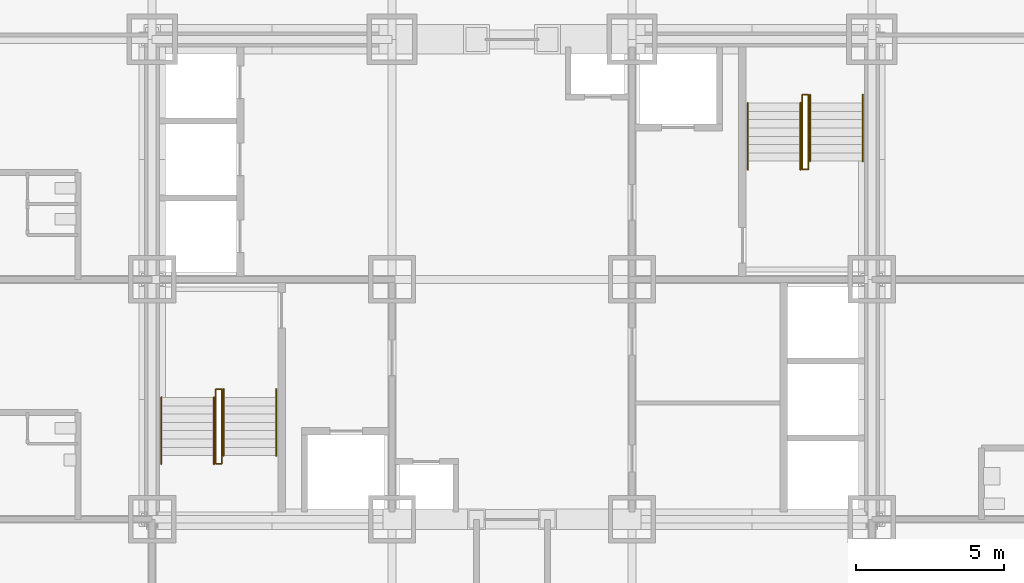
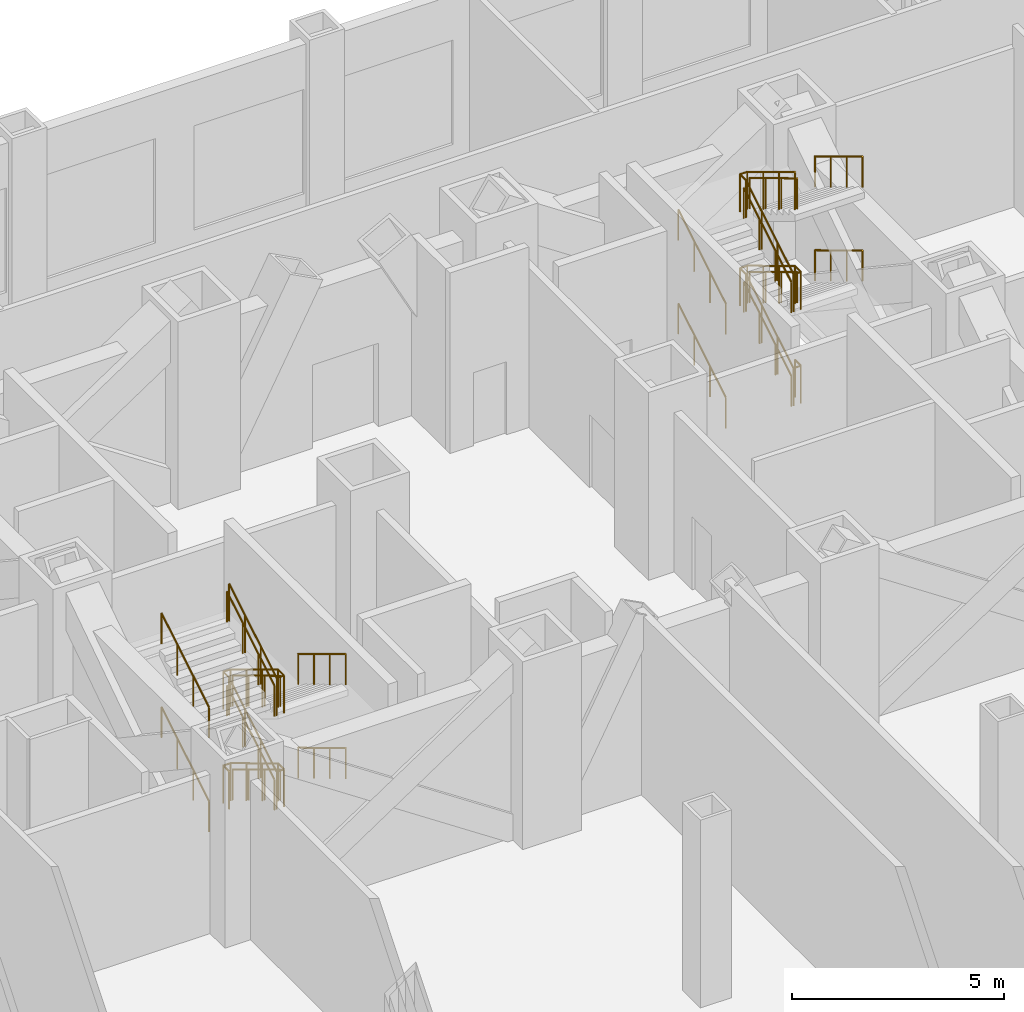
# One storey, part 9 of 10: 18 railings.
"""IFC4 building model written with IfcOpenShell, lengths in metres."""

from ifc_helpers import new_model, si_unit, direction, frame, origin, origin_2d, place, context, subcontext, project, spatial, circle, extrude, material, type_object, element, save


model = new_model("IFC4")

# Units and contexts
model_context = context("Model", 3, precision=1e-05, world=origin(), true_north=direction((0.0, 1.0)))
body_context = subcontext(model_context, "Body", "Model", "MODEL_VIEW")
ifc_project = project(units=[si_unit("LENGTHUNIT", "METRE"), si_unit("AREAUNIT", "SQUARE_METRE"), si_unit("VOLUMEUNIT", "CUBIC_METRE"), si_unit("PLANEANGLEUNIT", "RADIAN"), si_unit("MASSUNIT", "GRAM", prefix="KILO")], contexts=[model_context])

# Site, building, storey
site_placement = place(None, origin())
site = spatial("IfcSite", under=ifc_project, at=site_placement, CompositionType="ELEMENT")
building_placement = place(site_placement, origin())
building = spatial("IfcBuilding", under=site, at=building_placement, Name="Kopane Lantern Tower", CompositionType="ELEMENT")
storey_placement = place(building_placement, frame((0.0, 0.0, 27.60009765625)))
storey = spatial("IfcBuildingStorey", under=building, at=storey_placement, Name="L05", CompositionType="ELEMENT", Elevation=27.60009765625)

# Railings
ifc_material_1 = material(Name="Steel", Category="steel")
railing_type_1 = type_object("IfcRailingType", Name="STAIR GUARD 1100", PredefinedType="GUARDRAIL", material=ifc_material_1)
railing_1_placement = place(storey_placement, frame((18.35009765625, 28.409912109375, 0.0)))
element("IfcRailing", 1, at=railing_1_placement, inside=storey, type_object=railing_type_1, Name="ST1 well guard L05", PredefinedType="GUARDRAIL", context=body_context, shape_type="SweptSolid", body=[
    extrude(circle(Radius=0.02392578125, at=origin_2d()), frame((0.0, 0.0, 1.076171875), z_axis=(0.0, 1.0, 0.0), x_axis=(-1.0, 0.0, 0.0)), (0.0, 0.0, 1.0), 0.280029296875),
    extrude(circle(Radius=0.02392578125, at=origin_2d()), frame((0.0, 0.280029296875, 1.076171875), z_axis=(1.0, 0.0, 0.0), x_axis=(0.0, 1.0, 0.0)), (0.0, 0.0, 1.0), 0.199951171875),
    extrude(circle(Radius=0.02392578125, at=origin_2d()), frame((0.199951171875, 0.280029296875, 1.076171875), z_axis=(0.0, -0.856502912269, 0.516142190947), x_axis=(1.0, 0.0, 0.0)), (0.0, 0.0, 1.0), 2.615234375),
    extrude(circle(Radius=0.02392578125, at=origin_2d()), frame((0.199951171875, -1.9599609375, 2.42578125), z_axis=(0.0, -1.0, 0.0), x_axis=(1.0, 0.0, 0.0)), (0.0, 0.0, 1.0), 0.280029296875),
    extrude(circle(Radius=0.02392578125, at=origin_2d()), frame((0.199951171875, -2.239990234375, 2.42578125), z_axis=(-1.0, 0.0, 0.0), x_axis=(0.0, -1.0, 0.0)), (0.0, 0.0, 1.0), 0.199951171875),
    extrude(circle(Radius=0.02392578125, at=origin_2d()), frame((0.0, -2.239990234375, 2.42578125), z_axis=(0.0, 0.856461642802, 0.516210668632), x_axis=(-1.0, 0.0, 0.0)), (0.0, 0.0, 1.0), 2.615478515625),
    extrude(circle(Radius=0.02392578125, at=origin_2d()), frame((0.0, 0.0, 3.77587890625), z_axis=(0.0, 1.0, 0.0), x_axis=(-1.0, 0.0, 0.0)), (0.0, 0.0, 1.0), 0.280029296875),
    extrude(circle(Radius=0.02392578125, at=origin_2d()), frame((0.0, 0.280029296875, 3.77587890625), z_axis=(1.0, 0.0, 0.0), x_axis=(0.0, 1.0, 0.0)), (0.0, 0.0, 1.0), 0.199951171875),
    extrude(circle(Radius=0.02392578125, at=origin_2d()), frame((0.199951171875, 0.280029296875, 3.77587890625), z_axis=(0.0, -0.856502912269, 0.516142190947), x_axis=(1.0, 0.0, 0.0)), (0.0, 0.0, 1.0), 2.615234375),
    extrude(circle(Radius=0.02392578125, at=origin_2d()), frame((0.199951171875, -1.9599609375, 5.1259765625), z_axis=(0.0, -1.0, 0.0), x_axis=(1.0, 0.0, 0.0)), (0.0, 0.0, 1.0), 0.280029296875),
    extrude(circle(Radius=0.02392578125, at=origin_2d()), frame((0.199951171875, -2.239990234375, 5.1259765625), z_axis=(-1.0, 0.0, 0.0), x_axis=(0.0, -1.0, 0.0)), (0.0, 0.0, 1.0), 0.199951171875),
    extrude(circle(Radius=0.02392578125, at=origin_2d()), frame((0.0, -2.239990234375, 5.1259765625), z_axis=(0.0, 0.856461642802, 0.516210668632), x_axis=(-1.0, 0.0, 0.0)), (0.0, 0.0, 1.0), 2.615478515625),
    extrude(circle(Radius=0.02099609375, at=origin_2d()), origin(), (0.0, 0.0, 1.0), 1.052001953125),
    extrude(circle(Radius=0.02099609375, at=origin_2d()), frame((0.0, 0.280029296875, 0.0)), (0.0, 0.0, 1.0), 1.052001953125),
    extrude(circle(Radius=0.02099609375, at=origin_2d()), frame((0.199951171875, 0.280029296875, 0.0)), (0.0, 0.0, 1.0), 1.052001953125),
    extrude(circle(Radius=0.02099609375, at=origin_2d()), frame((0.199951171875, -0.466552734375, 0.449951171875)), (0.0, 0.0, 1.0), 1.052001953125),
    extrude(circle(Radius=0.02099609375, at=origin_2d()), frame((0.199951171875, -1.21337890625, 0.89990234375)), (0.0, 0.0, 1.0), 1.052001953125),
    extrude(circle(Radius=0.02099609375, at=origin_2d()), frame((0.199951171875, -1.9599609375, 1.349853515625)), (0.0, 0.0, 1.0), 1.052001953125),
    extrude(circle(Radius=0.02099609375, at=origin_2d()), frame((0.199951171875, -2.239990234375, 1.349853515625)), (0.0, 0.0, 1.0), 1.052001953125),
    extrude(circle(Radius=0.02099609375, at=origin_2d()), frame((0.0, -2.239990234375, 1.349853515625)), (0.0, 0.0, 1.0), 1.052001953125),
    extrude(circle(Radius=0.02099609375, at=origin_2d()), frame((0.0, -1.493408203125, 1.7998046875)), (0.0, 0.0, 1.0), 1.052001953125),
    extrude(circle(Radius=0.02099609375, at=origin_2d()), frame((0.0, -0.74658203125, 2.25)), (0.0, 0.0, 1.0), 1.052001953125),
    extrude(circle(Radius=0.02099609375, at=origin_2d()), frame((0.0, 0.0, 2.699951171875)), (0.0, 0.0, 1.0), 1.052001953125),
    extrude(circle(Radius=0.02099609375, at=origin_2d()), frame((0.0, 0.280029296875, 2.699951171875)), (0.0, 0.0, 1.0), 1.052001953125),
    extrude(circle(Radius=0.02099609375, at=origin_2d()), frame((0.199951171875, 0.280029296875, 2.699951171875)), (0.0, 0.0, 1.0), 1.052001953125),
    extrude(circle(Radius=0.02099609375, at=origin_2d()), frame((0.199951171875, -0.466552734375, 3.14990234375)), (0.0, 0.0, 1.0), 1.052001953125),
    extrude(circle(Radius=0.02099609375, at=origin_2d()), frame((0.199951171875, -1.21337890625, 3.599853515625)), (0.0, 0.0, 1.0), 1.052001953125),
    extrude(circle(Radius=0.02099609375, at=origin_2d()), frame((0.199951171875, -1.9599609375, 4.0498046875)), (0.0, 0.0, 1.0), 1.052001953125),
    extrude(circle(Radius=0.02099609375, at=origin_2d()), frame((0.199951171875, -2.239990234375, 4.0498046875)), (0.0, 0.0, 1.0), 1.052001953125),
    extrude(circle(Radius=0.02099609375, at=origin_2d()), frame((0.0, -2.239990234375, 4.0498046875)), (0.0, 0.0, 1.0), 1.052001953125),
    extrude(circle(Radius=0.02099609375, at=origin_2d()), frame((0.0, -1.493408203125, 4.499755859375)), (0.0, 0.0, 1.0), 1.052001953125),
    extrude(circle(Radius=0.02099609375, at=origin_2d()), frame((0.0, -0.74658203125, 4.949951171875)), (0.0, 0.0, 1.0), 1.052001953125),
    extrude(circle(Radius=0.02099609375, at=origin_2d()), frame((0.0, 0.0, 5.39990234375)), (0.0, 0.0, 1.0), 1.052001953125),
])
railing_2_placement = place(storey_placement, frame((38.35009765625, 36.389892578125, 0.0)))
element("IfcRailing", 2, at=railing_2_placement, inside=storey, type_object=railing_type_1, Name="ST2 well guard L05", PredefinedType="GUARDRAIL", context=body_context, shape_type="SweptSolid", body=[
    extrude(circle(Radius=0.02392578125, at=origin_2d()), frame((0.0, 0.0, 1.076171875), z_axis=(0.0, -1.0, 0.0), x_axis=(1.0, 0.0, 0.0)), (0.0, 0.0, 1.0), 0.27978515625),
    extrude(circle(Radius=0.02392578125, at=origin_2d()), frame((0.0, -0.27978515625, 1.076171875), z_axis=(-1.0, 0.0, 0.0), x_axis=(0.0, -1.0, 0.0)), (0.0, 0.0, 1.0), 0.2001953125),
    extrude(circle(Radius=0.02392578125, at=origin_2d()), frame((-0.2001953125, -0.27978515625, 1.076171875), z_axis=(0.0, 0.856502912269, 0.516142190947), x_axis=(-1.0, 0.0, 0.0)), (0.0, 0.0, 1.0), 2.615234375),
    extrude(circle(Radius=0.02392578125, at=origin_2d()), frame((-0.2001953125, 1.960205078125, 2.42578125), z_axis=(0.0, 1.0, 0.0), x_axis=(-1.0, 0.0, 0.0)), (0.0, 0.0, 1.0), 0.27978515625),
    extrude(circle(Radius=0.02392578125, at=origin_2d()), frame((-0.2001953125, 2.239990234375, 2.42578125), z_axis=(1.0, 0.0, 0.0), x_axis=(0.0, 1.0, 0.0)), (0.0, 0.0, 1.0), 0.2001953125),
    extrude(circle(Radius=0.02392578125, at=origin_2d()), frame((0.0, 2.239990234375, 2.42578125), z_axis=(0.0, -0.856461642802, 0.516210668632), x_axis=(1.0, 0.0, 0.0)), (0.0, 0.0, 1.0), 2.615478515625),
    extrude(circle(Radius=0.02392578125, at=origin_2d()), frame((0.0, 0.0, 3.77587890625), z_axis=(0.0, -1.0, 0.0), x_axis=(1.0, 0.0, 0.0)), (0.0, 0.0, 1.0), 0.27978515625),
    extrude(circle(Radius=0.02392578125, at=origin_2d()), frame((0.0, -0.27978515625, 3.77587890625), z_axis=(-1.0, 0.0, 0.0), x_axis=(0.0, -1.0, 0.0)), (0.0, 0.0, 1.0), 0.2001953125),
    extrude(circle(Radius=0.02392578125, at=origin_2d()), frame((-0.2001953125, -0.27978515625, 3.77587890625), z_axis=(0.0, 0.856502912269, 0.516142190947), x_axis=(-1.0, 0.0, 0.0)), (0.0, 0.0, 1.0), 2.615234375),
    extrude(circle(Radius=0.02392578125, at=origin_2d()), frame((-0.2001953125, 1.960205078125, 5.1259765625), z_axis=(0.0, 1.0, 0.0), x_axis=(-1.0, 0.0, 0.0)), (0.0, 0.0, 1.0), 0.27978515625),
    extrude(circle(Radius=0.02392578125, at=origin_2d()), frame((-0.2001953125, 2.239990234375, 5.1259765625), z_axis=(1.0, 0.0, 0.0), x_axis=(0.0, 1.0, 0.0)), (0.0, 0.0, 1.0), 0.2001953125),
    extrude(circle(Radius=0.02392578125, at=origin_2d()), frame((0.0, 2.239990234375, 5.1259765625), z_axis=(0.0, -0.856461642802, 0.516210668632), x_axis=(1.0, 0.0, 0.0)), (0.0, 0.0, 1.0), 2.615478515625),
    extrude(circle(Radius=0.02099609375, at=origin_2d()), origin(), (0.0, 0.0, 1.0), 1.052001953125),
    extrude(circle(Radius=0.02099609375, at=origin_2d()), frame((0.0, -0.27978515625, 0.0)), (0.0, 0.0, 1.0), 1.052001953125),
    extrude(circle(Radius=0.02099609375, at=origin_2d()), frame((-0.2001953125, -0.27978515625, 0.0)), (0.0, 0.0, 1.0), 1.052001953125),
    extrude(circle(Radius=0.02099609375, at=origin_2d()), frame((-0.2001953125, 0.466796875, 0.449951171875)), (0.0, 0.0, 1.0), 1.052001953125),
    extrude(circle(Radius=0.02099609375, at=origin_2d()), frame((-0.2001953125, 1.213623046875, 0.89990234375)), (0.0, 0.0, 1.0), 1.052001953125),
    extrude(circle(Radius=0.02099609375, at=origin_2d()), frame((-0.2001953125, 1.960205078125, 1.349853515625)), (0.0, 0.0, 1.0), 1.052001953125),
    extrude(circle(Radius=0.02099609375, at=origin_2d()), frame((-0.2001953125, 2.239990234375, 1.349853515625)), (0.0, 0.0, 1.0), 1.052001953125),
    extrude(circle(Radius=0.02099609375, at=origin_2d()), frame((0.0, 2.239990234375, 1.349853515625)), (0.0, 0.0, 1.0), 1.052001953125),
    extrude(circle(Radius=0.02099609375, at=origin_2d()), frame((0.0, 1.493408203125, 1.7998046875)), (0.0, 0.0, 1.0), 1.052001953125),
    extrude(circle(Radius=0.02099609375, at=origin_2d()), frame((0.0, 0.74658203125, 2.25)), (0.0, 0.0, 1.0), 1.052001953125),
    extrude(circle(Radius=0.02099609375, at=origin_2d()), frame((0.0, 0.0, 2.699951171875)), (0.0, 0.0, 1.0), 1.052001953125),
    extrude(circle(Radius=0.02099609375, at=origin_2d()), frame((0.0, -0.27978515625, 2.699951171875)), (0.0, 0.0, 1.0), 1.052001953125),
    extrude(circle(Radius=0.02099609375, at=origin_2d()), frame((-0.2001953125, -0.27978515625, 2.699951171875)), (0.0, 0.0, 1.0), 1.052001953125),
    extrude(circle(Radius=0.02099609375, at=origin_2d()), frame((-0.2001953125, 0.466796875, 3.14990234375)), (0.0, 0.0, 1.0), 1.052001953125),
    extrude(circle(Radius=0.02099609375, at=origin_2d()), frame((-0.2001953125, 1.213623046875, 3.599853515625)), (0.0, 0.0, 1.0), 1.052001953125),
    extrude(circle(Radius=0.02099609375, at=origin_2d()), frame((-0.2001953125, 1.960205078125, 4.0498046875)), (0.0, 0.0, 1.0), 1.052001953125),
    extrude(circle(Radius=0.02099609375, at=origin_2d()), frame((-0.2001953125, 2.239990234375, 4.0498046875)), (0.0, 0.0, 1.0), 1.052001953125),
    extrude(circle(Radius=0.02099609375, at=origin_2d()), frame((0.0, 2.239990234375, 4.0498046875)), (0.0, 0.0, 1.0), 1.052001953125),
    extrude(circle(Radius=0.02099609375, at=origin_2d()), frame((0.0, 1.493408203125, 4.499755859375)), (0.0, 0.0, 1.0), 1.052001953125),
    extrude(circle(Radius=0.02099609375, at=origin_2d()), frame((0.0, 0.74658203125, 4.949951171875)), (0.0, 0.0, 1.0), 1.052001953125),
    extrude(circle(Radius=0.02099609375, at=origin_2d()), frame((0.0, 0.0, 5.39990234375)), (0.0, 0.0, 1.0), 1.052001953125),
])
ifc_material_2 = material(Name="Steel", Category="steel")
railing_type_2 = type_object("IfcRailingType", Name="STAIR HANDRAIL 900", PredefinedType="HANDRAIL", material=ifc_material_2)
for number, where, name in (
    (3, (20.389892578125, 28.68994140625, 0.0), "ST1 handrail L05 flight 1"),
    (4, (18.610107421875, 28.68994140625, 0.0), "ST1 handrail L05 flight 1"),
):
    element("IfcRailing", number, at=place(storey_placement, frame(where)), inside=storey, type_object=railing_type_2, Name=name, PredefinedType="HANDRAIL", context=body_context, shape_type="SweptSolid", body=[
        extrude(circle(Radius=0.02392578125, at=origin_2d()), frame((0.0, 0.0, 0.8759765625), z_axis=(0.0, -0.856502912269, 0.516142190947), x_axis=(1.0, 0.0, 0.0)), (0.0, 0.0, 1.0), 2.615234375),
        extrude(circle(Radius=0.02099609375, at=origin_2d()), origin(), (0.0, 0.0, 1.0), 0.851806640625),
        extrude(circle(Radius=0.02099609375, at=origin_2d()), frame((0.0, -0.74658203125, 0.449951171875)), (0.0, 0.0, 1.0), 0.851806640625),
        extrude(circle(Radius=0.02099609375, at=origin_2d()), frame((0.0, -1.493408203125, 0.89990234375)), (0.0, 0.0, 1.0), 0.851806640625),
        extrude(circle(Radius=0.02099609375, at=origin_2d()), frame((0.0, -2.239990234375, 1.349853515625)), (0.0, 0.0, 1.0), 0.851806640625),
    ])
for number, where, name in (
    (5, (16.510009765625, 26.169921875, 1.349853515625), "ST1 handrail L05 flight 2"),
    (6, (18.2900390625, 26.169921875, 1.349853515625), "ST1 handrail L05 flight 2"),
):
    element("IfcRailing", number, at=place(storey_placement, frame(where)), inside=storey, type_object=railing_type_2, Name=name, PredefinedType="HANDRAIL", context=body_context, shape_type="SweptSolid", body=[
        extrude(circle(Radius=0.02392578125, at=origin_2d()), frame((0.0, 0.0, 0.8759765625), z_axis=(0.0, 0.856461642802, 0.516210668632), x_axis=(-1.0, 0.0, 0.0)), (0.0, 0.0, 1.0), 2.615478515625),
        extrude(circle(Radius=0.02099609375, at=origin_2d()), origin(), (0.0, 0.0, 1.0), 0.851806640625),
        extrude(circle(Radius=0.02099609375, at=origin_2d()), frame((0.0, 0.74658203125, 0.449951171875)), (0.0, 0.0, 1.0), 0.851806640625),
        extrude(circle(Radius=0.02099609375, at=origin_2d()), frame((0.0, 1.493408203125, 0.900146484375)), (0.0, 0.0, 1.0), 0.851806640625),
        extrude(circle(Radius=0.02099609375, at=origin_2d()), frame((0.0, 2.239990234375, 1.35009765625)), (0.0, 0.0, 1.0), 0.851806640625),
    ])
for number, where, name in (
    (7, (20.389892578125, 28.68994140625, 2.699951171875), "ST1 handrail L05 flight 3"),
    (8, (18.610107421875, 28.68994140625, 2.699951171875), "ST1 handrail L05 flight 3"),
):
    element("IfcRailing", number, at=place(storey_placement, frame(where)), inside=storey, type_object=railing_type_2, Name=name, PredefinedType="HANDRAIL", context=body_context, shape_type="SweptSolid", body=[
        extrude(circle(Radius=0.02392578125, at=origin_2d()), frame((0.0, 0.0, 0.8759765625), z_axis=(0.0, -0.856502912269, 0.516142190947), x_axis=(1.0, 0.0, 0.0)), (0.0, 0.0, 1.0), 2.615234375),
        extrude(circle(Radius=0.02099609375, at=origin_2d()), origin(), (0.0, 0.0, 1.0), 0.851806640625),
        extrude(circle(Radius=0.02099609375, at=origin_2d()), frame((0.0, -0.74658203125, 0.449951171875)), (0.0, 0.0, 1.0), 0.851806640625),
        extrude(circle(Radius=0.02099609375, at=origin_2d()), frame((0.0, -1.493408203125, 0.89990234375)), (0.0, 0.0, 1.0), 0.851806640625),
        extrude(circle(Radius=0.02099609375, at=origin_2d()), frame((0.0, -2.239990234375, 1.349853515625)), (0.0, 0.0, 1.0), 0.851806640625),
    ])
for number, where, name in (
    (9, (16.510009765625, 26.169921875, 4.0498046875), "ST1 handrail L05 flight 4"),
    (10, (18.2900390625, 26.169921875, 4.0498046875), "ST1 handrail L05 flight 4"),
):
    element("IfcRailing", number, at=place(storey_placement, frame(where)), inside=storey, type_object=railing_type_2, Name=name, PredefinedType="HANDRAIL", context=body_context, shape_type="SweptSolid", body=[
        extrude(circle(Radius=0.02392578125, at=origin_2d()), frame((0.0, 0.0, 0.8759765625), z_axis=(0.0, 0.856461642802, 0.516210668632), x_axis=(-1.0, 0.0, 0.0)), (0.0, 0.0, 1.0), 2.615478515625),
        extrude(circle(Radius=0.02099609375, at=origin_2d()), origin(), (0.0, 0.0, 1.0), 0.851806640625),
        extrude(circle(Radius=0.02099609375, at=origin_2d()), frame((0.0, 0.74658203125, 0.449951171875)), (0.0, 0.0, 1.0), 0.851806640625),
        extrude(circle(Radius=0.02099609375, at=origin_2d()), frame((0.0, 1.493408203125, 0.900146484375)), (0.0, 0.0, 1.0), 0.851806640625),
        extrude(circle(Radius=0.02099609375, at=origin_2d()), frame((0.0, 2.239990234375, 1.35009765625)), (0.0, 0.0, 1.0), 0.851806640625),
    ])
for number, where, name in (
    (11, (36.31005859375, 36.110107421875, 0.0), "ST2 handrail L05 flight 1"),
    (12, (38.090087890625, 36.110107421875, 0.0), "ST2 handrail L05 flight 1"),
):
    element("IfcRailing", number, at=place(storey_placement, frame(where)), inside=storey, type_object=railing_type_2, Name=name, PredefinedType="HANDRAIL", context=body_context, shape_type="SweptSolid", body=[
        extrude(circle(Radius=0.02392578125, at=origin_2d()), frame((0.0, 0.0, 0.8759765625), z_axis=(0.0, 0.856502912269, 0.516142190947), x_axis=(-1.0, 0.0, 0.0)), (0.0, 0.0, 1.0), 2.615234375),
        extrude(circle(Radius=0.02099609375, at=origin_2d()), origin(), (0.0, 0.0, 1.0), 0.851806640625),
        extrude(circle(Radius=0.02099609375, at=origin_2d()), frame((0.0, 0.74658203125, 0.449951171875)), (0.0, 0.0, 1.0), 0.851806640625),
        extrude(circle(Radius=0.02099609375, at=origin_2d()), frame((0.0, 1.493408203125, 0.89990234375)), (0.0, 0.0, 1.0), 0.851806640625),
        extrude(circle(Radius=0.02099609375, at=origin_2d()), frame((0.0, 2.239990234375, 1.349853515625)), (0.0, 0.0, 1.0), 0.851806640625),
    ])
for number, where, name in (
    (13, (40.18994140625, 38.6298828125, 1.349853515625), "ST2 handrail L05 flight 2"),
    (14, (38.409912109375, 38.6298828125, 1.349853515625), "ST2 handrail L05 flight 2"),
):
    element("IfcRailing", number, at=place(storey_placement, frame(where)), inside=storey, type_object=railing_type_2, Name=name, PredefinedType="HANDRAIL", context=body_context, shape_type="SweptSolid", body=[
        extrude(circle(Radius=0.02392578125, at=origin_2d()), frame((0.0, 0.0, 0.8759765625), z_axis=(0.0, -0.856461642802, 0.516210668632), x_axis=(1.0, 0.0, 0.0)), (0.0, 0.0, 1.0), 2.615478515625),
        extrude(circle(Radius=0.02099609375, at=origin_2d()), origin(), (0.0, 0.0, 1.0), 0.851806640625),
        extrude(circle(Radius=0.02099609375, at=origin_2d()), frame((0.0, -0.74658203125, 0.449951171875)), (0.0, 0.0, 1.0), 0.851806640625),
        extrude(circle(Radius=0.02099609375, at=origin_2d()), frame((0.0, -1.493408203125, 0.900146484375)), (0.0, 0.0, 1.0), 0.851806640625),
        extrude(circle(Radius=0.02099609375, at=origin_2d()), frame((0.0, -2.239990234375, 1.35009765625)), (0.0, 0.0, 1.0), 0.851806640625),
    ])
for number, where, name in (
    (15, (36.31005859375, 36.110107421875, 2.699951171875), "ST2 handrail L05 flight 3"),
    (16, (38.090087890625, 36.110107421875, 2.699951171875), "ST2 handrail L05 flight 3"),
):
    element("IfcRailing", number, at=place(storey_placement, frame(where)), inside=storey, type_object=railing_type_2, Name=name, PredefinedType="HANDRAIL", context=body_context, shape_type="SweptSolid", body=[
        extrude(circle(Radius=0.02392578125, at=origin_2d()), frame((0.0, 0.0, 0.8759765625), z_axis=(0.0, 0.856502912269, 0.516142190947), x_axis=(-1.0, 0.0, 0.0)), (0.0, 0.0, 1.0), 2.615234375),
        extrude(circle(Radius=0.02099609375, at=origin_2d()), origin(), (0.0, 0.0, 1.0), 0.851806640625),
        extrude(circle(Radius=0.02099609375, at=origin_2d()), frame((0.0, 0.74658203125, 0.449951171875)), (0.0, 0.0, 1.0), 0.851806640625),
        extrude(circle(Radius=0.02099609375, at=origin_2d()), frame((0.0, 1.493408203125, 0.89990234375)), (0.0, 0.0, 1.0), 0.851806640625),
        extrude(circle(Radius=0.02099609375, at=origin_2d()), frame((0.0, 2.239990234375, 1.349853515625)), (0.0, 0.0, 1.0), 0.851806640625),
    ])
for number, where, name in (
    (17, (40.18994140625, 38.6298828125, 4.0498046875), "ST2 handrail L05 flight 4"),
    (18, (38.409912109375, 38.6298828125, 4.0498046875), "ST2 handrail L05 flight 4"),
):
    element("IfcRailing", number, at=place(storey_placement, frame(where)), inside=storey, type_object=railing_type_2, Name=name, PredefinedType="HANDRAIL", context=body_context, shape_type="SweptSolid", body=[
        extrude(circle(Radius=0.02392578125, at=origin_2d()), frame((0.0, 0.0, 0.8759765625), z_axis=(0.0, -0.856461642802, 0.516210668632), x_axis=(1.0, 0.0, 0.0)), (0.0, 0.0, 1.0), 2.615478515625),
        extrude(circle(Radius=0.02099609375, at=origin_2d()), origin(), (0.0, 0.0, 1.0), 0.851806640625),
        extrude(circle(Radius=0.02099609375, at=origin_2d()), frame((0.0, -0.74658203125, 0.449951171875)), (0.0, 0.0, 1.0), 0.851806640625),
        extrude(circle(Radius=0.02099609375, at=origin_2d()), frame((0.0, -1.493408203125, 0.900146484375)), (0.0, 0.0, 1.0), 0.851806640625),
        extrude(circle(Radius=0.02099609375, at=origin_2d()), frame((0.0, -2.239990234375, 1.35009765625)), (0.0, 0.0, 1.0), 0.851806640625),
    ])

save(model, "model.ifc")
